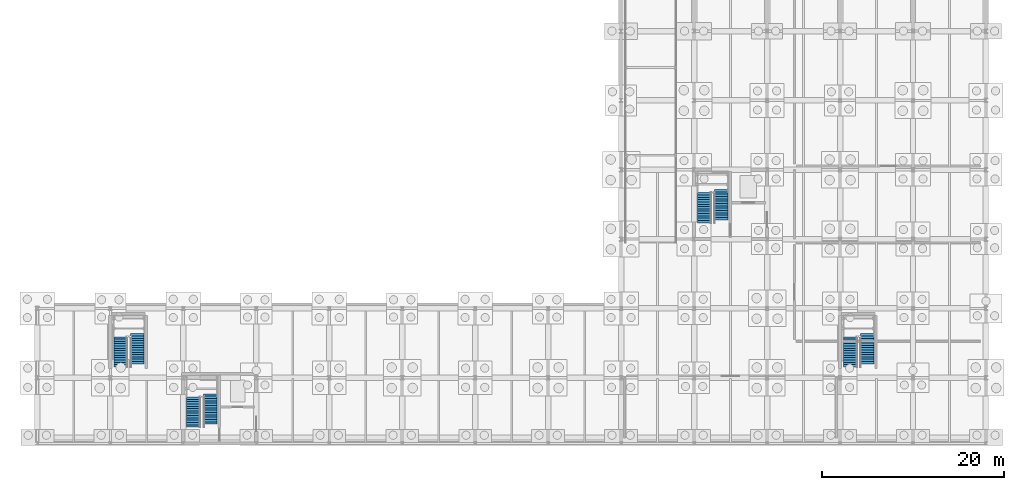
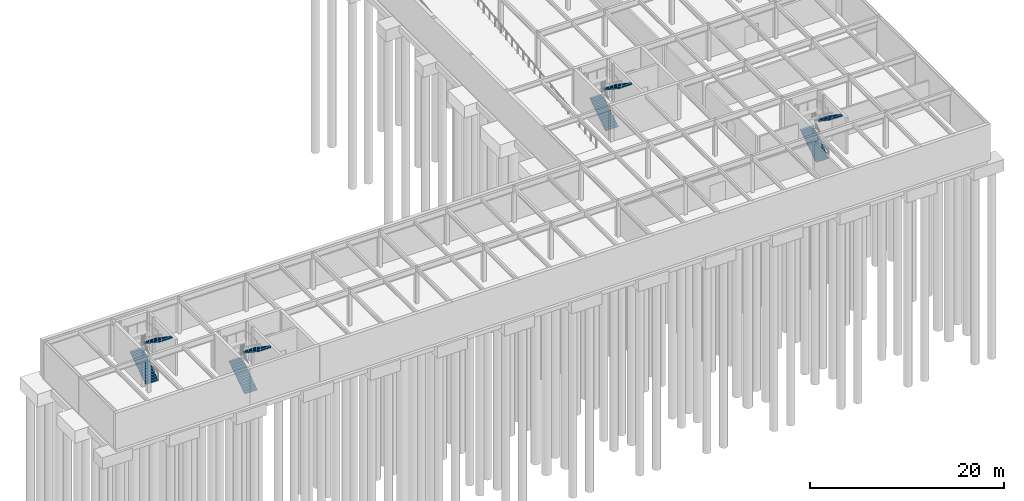
# One storey, part 17 of 21: 8 stair flights, 4 elements without a shape of their own.
"""IFC4 building model written with IfcOpenShell, lengths in metres."""

from ifc_helpers import new_model, si_unit, direction, frame, origin, place, context, subcontext, project, spatial, polyline, outline, extrude, material, type_object, element, aggregate, save


model = new_model("IFC4")

# Units and contexts
model_context = context("Model", 3, precision=1e-05, world=origin(), true_north=direction((0.0, 1.0)))
body_context = subcontext(model_context, "Body", "Model", "MODEL_VIEW")
ifc_project = project(units=[si_unit("LENGTHUNIT", "METRE"), si_unit("AREAUNIT", "SQUARE_METRE"), si_unit("VOLUMEUNIT", "CUBIC_METRE"), si_unit("PLANEANGLEUNIT", "RADIAN"), si_unit("MASSUNIT", "GRAM", prefix="KILO")], contexts=[model_context])

# Site, building, storey
site_placement = place(None, origin())
site = spatial("IfcSite", under=ifc_project, at=site_placement, CompositionType="ELEMENT")
building_placement = place(site_placement, origin())
building = spatial("IfcBuilding", under=site, at=building_placement, Name="Zulena Civic Courthouse", CompositionType="ELEMENT")
storey_placement = place(building_placement, frame((0.0, 0.0, -4.800048828125)))
storey = spatial("IfcBuildingStorey", under=building, at=storey_placement, Name="B01", CompositionType="ELEMENT", Elevation=-4.800048828125)

# Stair, stair flights
ifc_material = material(Name="Precast concrete C40/50", Category="concrete")
stair_type = type_object("IfcStairType", Name="HalfTurnStair_4800", PredefinedType="HALF_TURN_STAIR", material=ifc_material)
stair_1_placement = place(storey_placement, origin())
stair_1 = element("IfcStair", 1, at=stair_1_placement, inside=storey, type_object=stair_type, Name="stair:K5A:B01", PredefinedType="HALF_TURN_STAIR")
stair_flight_type = type_object("IfcStairFlightType", Name="StairFlight_4800", PredefinedType="STRAIGHT", material=ifc_material)
stair_flight_1_placement = place(storey_placement, frame((21.1298828125, 47.780029296875, 0.0), z_axis=(0.0, 0.0, 1.0), x_axis=(0.0, 1.0, 0.0)))
stair_flight_1 = element("IfcStairFlight", 2, at=stair_flight_1_placement, type_object=stair_flight_type, Name="stair:K5A:B01:F1", NumberOfRisers=14, NumberOfTreads=13, PredefinedType="STRAIGHT", RiserHeight=0.17143, TreadLength=0.255, context=body_context, shape_type="SweptSolid", body=[
    extrude(outline(polyline([(0.0, 0.0), (0.0, 0.17138671875), (0.2548828125, 0.17138671875), (0.2548828125, 0.3427734375), (0.510009765625, 0.3427734375), (0.510009765625, 0.514404296875), (0.764892578125, 0.514404296875), (0.764892578125, 0.685791015625), (1.02001953125, 0.685791015625), (1.02001953125, 0.857177734375), (1.27490234375, 0.857177734375), (1.27490234375, 1.028564453125), (1.530029296875, 1.028564453125), (1.530029296875, 1.199951171875), (1.784912109375, 1.199951171875), (1.784912109375, 1.371337890625), (2.0400390625, 1.371337890625), (2.0400390625, 1.54296875), (2.294921875, 1.54296875), (2.294921875, 1.71435546875), (2.550048828125, 1.71435546875), (2.550048828125, 1.8857421875), (2.804931640625, 1.8857421875), (2.804931640625, 2.05712890625), (3.06005859375, 2.05712890625), (3.06005859375, 2.228515625), (3.31494140625, 2.228515625), (3.31494140625, 2.39990234375), (3.31494140625, 2.10205078125), (0.188232421875, 0.0), (0.0, 0.0)])), frame((0.0, 0.75, 0.0), z_axis=(0.0, -1.0, 0.0), x_axis=(1.0, 0.0, 0.0)), (0.0, 0.0, 1.0), 1.5),
])
stair_flight_2_placement = place(storey_placement, frame((22.969970703125, 51.434814453125, 2.400146484375), z_axis=(0.0, 0.0, 1.0), x_axis=(0.0, -1.0, 0.0)))
stair_flight_2 = element("IfcStairFlight", 3, at=stair_flight_2_placement, type_object=stair_flight_type, Name="stair:K5A:B01:F2", NumberOfRisers=14, NumberOfTreads=13, PredefinedType="STRAIGHT", RiserHeight=0.17143, TreadLength=0.255, context=body_context, shape_type="SweptSolid", body=[
    extrude(outline(polyline([(0.0, 0.0), (0.0, 0.17138671875), (0.2548828125, 0.17138671875), (0.2548828125, 0.3427734375), (0.510009765625, 0.3427734375), (0.510009765625, 0.514404296875), (0.764892578125, 0.514404296875), (0.764892578125, 0.685791015625), (1.02001953125, 0.685791015625), (1.02001953125, 0.857177734375), (1.27490234375, 0.857177734375), (1.27490234375, 1.028564453125), (1.530029296875, 1.028564453125), (1.530029296875, 1.199951171875), (1.784912109375, 1.199951171875), (1.784912109375, 1.371337890625), (2.0400390625, 1.371337890625), (2.0400390625, 1.54296875), (2.294921875, 1.54296875), (2.294921875, 1.71435546875), (2.550048828125, 1.71435546875), (2.550048828125, 1.8857421875), (2.804931640625, 1.8857421875), (2.804931640625, 2.05712890625), (3.06005859375, 2.05712890625), (3.06005859375, 2.228515625), (3.31494140625, 2.228515625), (3.31494140625, 2.39990234375), (3.31494140625, 2.10205078125), (0.188232421875, 0.0), (0.0, 0.0)])), frame((0.0, 0.75, 0.0), z_axis=(0.0, -1.0, 0.0), x_axis=(1.0, 0.0, 0.0)), (0.0, 0.0, 1.0), 1.5),
])
aggregate(stair_1, [stair_flight_1, stair_flight_2])

stair_2_placement = place(storey_placement, origin())
stair_2 = element("IfcStair", 4, at=stair_2_placement, inside=storey, type_object=stair_type, Name="stair:K5B:B01", PredefinedType="HALF_TURN_STAIR")
stair_flight_3_placement = place(storey_placement, frame((77.1298828125, 70.179931640625, 0.0), z_axis=(0.0, 0.0, 1.0), x_axis=(0.0, 1.0, 0.0)))
stair_flight_3 = element("IfcStairFlight", 5, at=stair_flight_3_placement, type_object=stair_flight_type, Name="stair:K5B:B01:F1", NumberOfRisers=14, NumberOfTreads=13, PredefinedType="STRAIGHT", RiserHeight=0.17143, TreadLength=0.255, context=body_context, shape_type="SweptSolid", body=[
    extrude(outline(polyline([(0.0, 0.0), (0.0, 0.17138671875), (0.2548828125, 0.17138671875), (0.2548828125, 0.3427734375), (0.510009765625, 0.3427734375), (0.510009765625, 0.514404296875), (0.764892578125, 0.514404296875), (0.764892578125, 0.685791015625), (1.02001953125, 0.685791015625), (1.02001953125, 0.857177734375), (1.27490234375, 0.857177734375), (1.27490234375, 1.028564453125), (1.530029296875, 1.028564453125), (1.530029296875, 1.199951171875), (1.784912109375, 1.199951171875), (1.784912109375, 1.371337890625), (2.0400390625, 1.371337890625), (2.0400390625, 1.54296875), (2.294921875, 1.54296875), (2.294921875, 1.71435546875), (2.550048828125, 1.71435546875), (2.550048828125, 1.8857421875), (2.804931640625, 1.8857421875), (2.804931640625, 2.05712890625), (3.06005859375, 2.05712890625), (3.06005859375, 2.228515625), (3.31494140625, 2.228515625), (3.31494140625, 2.39990234375), (3.31494140625, 2.10205078125), (0.188232421875, 0.0), (0.0, 0.0)])), frame((0.0, 0.75, 0.0), z_axis=(0.0, -1.0, 0.0), x_axis=(1.0, 0.0, 0.0)), (0.0, 0.0, 1.0), 1.5),
])
stair_flight_4_placement = place(storey_placement, frame((78.969970703125, 73.834716796875, 2.400146484375), z_axis=(0.0, 0.0, 1.0), x_axis=(0.0, -1.0, 0.0)))
stair_flight_4 = element("IfcStairFlight", 6, at=stair_flight_4_placement, type_object=stair_flight_type, Name="stair:K5B:B01:F2", NumberOfRisers=14, NumberOfTreads=13, PredefinedType="STRAIGHT", RiserHeight=0.17143, TreadLength=0.255, context=body_context, shape_type="SweptSolid", body=[
    extrude(outline(polyline([(0.0, 0.0), (0.0, 0.17138671875), (0.2548828125, 0.17138671875), (0.2548828125, 0.3427734375), (0.510009765625, 0.3427734375), (0.510009765625, 0.514404296875), (0.764892578125, 0.514404296875), (0.764892578125, 0.685791015625), (1.02001953125, 0.685791015625), (1.02001953125, 0.857177734375), (1.27490234375, 0.857177734375), (1.27490234375, 1.028564453125), (1.530029296875, 1.028564453125), (1.530029296875, 1.199951171875), (1.784912109375, 1.199951171875), (1.784912109375, 1.371337890625), (2.0400390625, 1.371337890625), (2.0400390625, 1.54296875), (2.294921875, 1.54296875), (2.294921875, 1.71435546875), (2.550048828125, 1.71435546875), (2.550048828125, 1.8857421875), (2.804931640625, 1.8857421875), (2.804931640625, 2.05712890625), (3.06005859375, 2.05712890625), (3.06005859375, 2.228515625), (3.31494140625, 2.228515625), (3.31494140625, 2.39990234375), (3.31494140625, 2.10205078125), (0.188232421875, 0.0), (0.0, 0.0)])), frame((0.0, 0.75, 0.0), z_axis=(0.0, -1.0, 0.0), x_axis=(1.0, 0.0, 0.0)), (0.0, 0.0, 1.0), 1.5),
])
aggregate(stair_2, [stair_flight_3, stair_flight_4])

stair_3_placement = place(storey_placement, origin())
stair_3 = element("IfcStair", 7, at=stair_3_placement, inside=storey, type_object=stair_type, Name="stair:STB1:B01", PredefinedType="HALF_TURN_STAIR")
stair_flight_5_placement = place(storey_placement, frame((13.1298828125, 54.3798828125, 0.0), z_axis=(0.0, 0.0, 1.0), x_axis=(0.0, 1.0, 0.0)))
stair_flight_5 = element("IfcStairFlight", 8, at=stair_flight_5_placement, type_object=stair_flight_type, Name="stair:STB1:B01:F1", NumberOfRisers=14, NumberOfTreads=13, PredefinedType="STRAIGHT", RiserHeight=0.17143, TreadLength=0.255, context=body_context, shape_type="SweptSolid", body=[
    extrude(outline(polyline([(0.0, 0.0), (0.0, 0.17138671875), (0.2548828125, 0.17138671875), (0.2548828125, 0.3427734375), (0.510009765625, 0.3427734375), (0.510009765625, 0.514404296875), (0.764892578125, 0.514404296875), (0.764892578125, 0.685791015625), (1.02001953125, 0.685791015625), (1.02001953125, 0.857177734375), (1.27490234375, 0.857177734375), (1.27490234375, 1.028564453125), (1.530029296875, 1.028564453125), (1.530029296875, 1.199951171875), (1.784912109375, 1.199951171875), (1.784912109375, 1.371337890625), (2.0400390625, 1.371337890625), (2.0400390625, 1.54296875), (2.294921875, 1.54296875), (2.294921875, 1.71435546875), (2.550048828125, 1.71435546875), (2.550048828125, 1.8857421875), (2.804931640625, 1.8857421875), (2.804931640625, 2.05712890625), (3.06005859375, 2.05712890625), (3.06005859375, 2.228515625), (3.31494140625, 2.228515625), (3.31494140625, 2.39990234375), (3.31494140625, 2.10205078125), (0.188232421875, 0.0), (0.0, 0.0)])), frame((0.0, 0.75, 0.0), z_axis=(0.0, -1.0, 0.0), x_axis=(1.0, 0.0, 0.0)), (0.0, 0.0, 1.0), 1.5),
])
stair_flight_6_placement = place(storey_placement, frame((14.969970703125, 58.03466796875, 2.400146484375), z_axis=(0.0, 0.0, 1.0), x_axis=(0.0, -1.0, 0.0)))
stair_flight_6 = element("IfcStairFlight", 9, at=stair_flight_6_placement, type_object=stair_flight_type, Name="stair:STB1:B01:F2", NumberOfRisers=14, NumberOfTreads=13, PredefinedType="STRAIGHT", RiserHeight=0.17143, TreadLength=0.255, context=body_context, shape_type="SweptSolid", body=[
    extrude(outline(polyline([(0.0, 0.0), (0.0, 0.17138671875), (0.2548828125, 0.17138671875), (0.2548828125, 0.3427734375), (0.510009765625, 0.3427734375), (0.510009765625, 0.514404296875), (0.764892578125, 0.514404296875), (0.764892578125, 0.685791015625), (1.02001953125, 0.685791015625), (1.02001953125, 0.857177734375), (1.27490234375, 0.857177734375), (1.27490234375, 1.028564453125), (1.530029296875, 1.028564453125), (1.530029296875, 1.199951171875), (1.784912109375, 1.199951171875), (1.784912109375, 1.371337890625), (2.0400390625, 1.371337890625), (2.0400390625, 1.54296875), (2.294921875, 1.54296875), (2.294921875, 1.71435546875), (2.550048828125, 1.71435546875), (2.550048828125, 1.8857421875), (2.804931640625, 1.8857421875), (2.804931640625, 2.05712890625), (3.06005859375, 2.05712890625), (3.06005859375, 2.228515625), (3.31494140625, 2.228515625), (3.31494140625, 2.39990234375), (3.31494140625, 2.10205078125), (0.188232421875, 0.0), (0.0, 0.0)])), frame((0.0, 0.75, 0.0), z_axis=(0.0, -1.0, 0.0), x_axis=(1.0, 0.0, 0.0)), (0.0, 0.0, 1.0), 1.5),
])
aggregate(stair_3, [stair_flight_5, stair_flight_6])

stair_4_placement = place(storey_placement, origin())
stair_4 = element("IfcStair", 10, at=stair_4_placement, inside=storey, type_object=stair_type, Name="stair:STB2:B01", PredefinedType="HALF_TURN_STAIR")
stair_flight_7_placement = place(storey_placement, frame((93.1298828125, 54.3798828125, 0.0), z_axis=(0.0, 0.0, 1.0), x_axis=(0.0, 1.0, 0.0)))
stair_flight_7 = element("IfcStairFlight", 11, at=stair_flight_7_placement, type_object=stair_flight_type, Name="stair:STB2:B01:F1", NumberOfRisers=14, NumberOfTreads=13, PredefinedType="STRAIGHT", RiserHeight=0.17143, TreadLength=0.255, context=body_context, shape_type="SweptSolid", body=[
    extrude(outline(polyline([(0.0, 0.0), (0.0, 0.17138671875), (0.2548828125, 0.17138671875), (0.2548828125, 0.3427734375), (0.510009765625, 0.3427734375), (0.510009765625, 0.514404296875), (0.764892578125, 0.514404296875), (0.764892578125, 0.685791015625), (1.02001953125, 0.685791015625), (1.02001953125, 0.857177734375), (1.27490234375, 0.857177734375), (1.27490234375, 1.028564453125), (1.530029296875, 1.028564453125), (1.530029296875, 1.199951171875), (1.784912109375, 1.199951171875), (1.784912109375, 1.371337890625), (2.0400390625, 1.371337890625), (2.0400390625, 1.54296875), (2.294921875, 1.54296875), (2.294921875, 1.71435546875), (2.550048828125, 1.71435546875), (2.550048828125, 1.8857421875), (2.804931640625, 1.8857421875), (2.804931640625, 2.05712890625), (3.06005859375, 2.05712890625), (3.06005859375, 2.228515625), (3.31494140625, 2.228515625), (3.31494140625, 2.39990234375), (3.31494140625, 2.10205078125), (0.188232421875, 0.0), (0.0, 0.0)])), frame((0.0, 0.75, 0.0), z_axis=(0.0, -1.0, 0.0), x_axis=(1.0, 0.0, 0.0)), (0.0, 0.0, 1.0), 1.5),
])
stair_flight_8_placement = place(storey_placement, frame((94.969970703125, 58.03466796875, 2.400146484375), z_axis=(0.0, 0.0, 1.0), x_axis=(0.0, -1.0, 0.0)))
stair_flight_8 = element("IfcStairFlight", 12, at=stair_flight_8_placement, type_object=stair_flight_type, Name="stair:STB2:B01:F2", NumberOfRisers=14, NumberOfTreads=13, PredefinedType="STRAIGHT", RiserHeight=0.17143, TreadLength=0.255, context=body_context, shape_type="SweptSolid", body=[
    extrude(outline(polyline([(0.0, 0.0), (0.0, 0.17138671875), (0.2548828125, 0.17138671875), (0.2548828125, 0.3427734375), (0.510009765625, 0.3427734375), (0.510009765625, 0.514404296875), (0.764892578125, 0.514404296875), (0.764892578125, 0.685791015625), (1.02001953125, 0.685791015625), (1.02001953125, 0.857177734375), (1.27490234375, 0.857177734375), (1.27490234375, 1.028564453125), (1.530029296875, 1.028564453125), (1.530029296875, 1.199951171875), (1.784912109375, 1.199951171875), (1.784912109375, 1.371337890625), (2.0400390625, 1.371337890625), (2.0400390625, 1.54296875), (2.294921875, 1.54296875), (2.294921875, 1.71435546875), (2.550048828125, 1.71435546875), (2.550048828125, 1.8857421875), (2.804931640625, 1.8857421875), (2.804931640625, 2.05712890625), (3.06005859375, 2.05712890625), (3.06005859375, 2.228515625), (3.31494140625, 2.228515625), (3.31494140625, 2.39990234375), (3.31494140625, 2.10205078125), (0.188232421875, 0.0), (0.0, 0.0)])), frame((0.0, 0.75, 0.0), z_axis=(0.0, -1.0, 0.0), x_axis=(1.0, 0.0, 0.0)), (0.0, 0.0, 1.0), 1.5),
])
aggregate(stair_4, [stair_flight_7, stair_flight_8])

save(model, "model.ifc")
